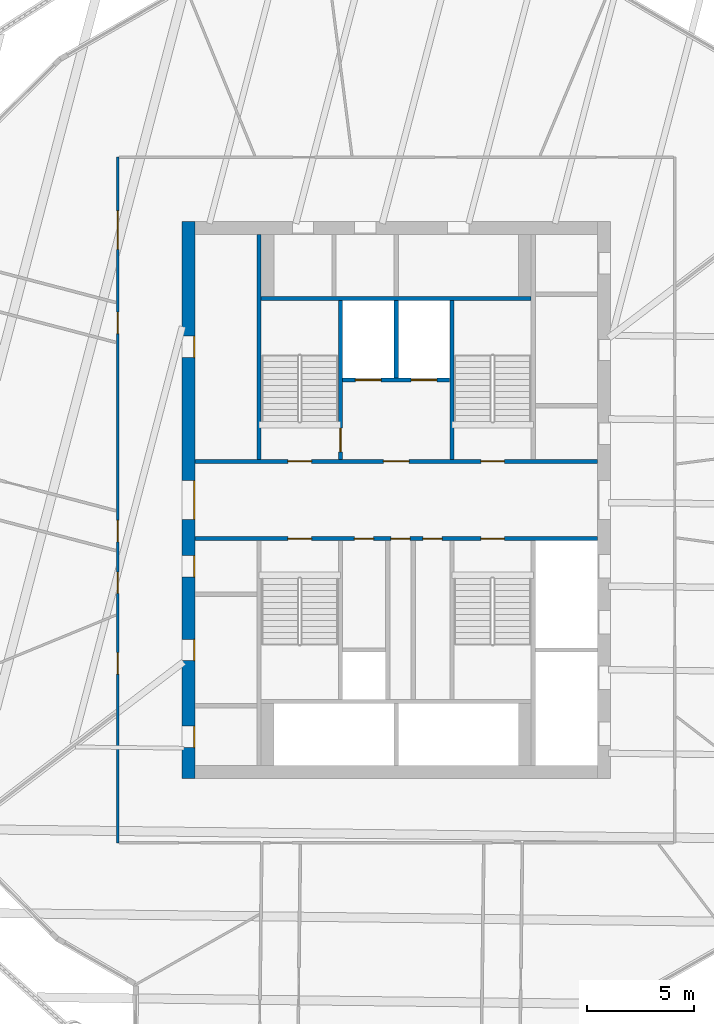
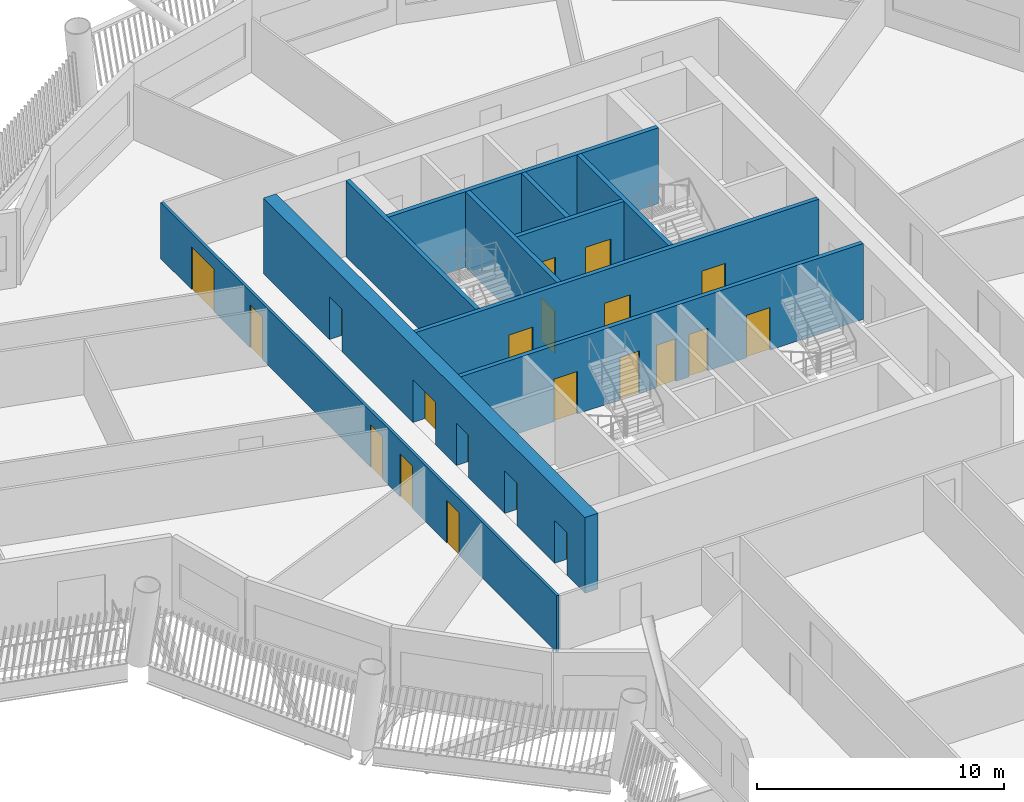
# One storey, part 5 of 21: 21 doors, 10 walls, 21 openings.
"""IFC4 building model written with IfcOpenShell, lengths in metres."""

from ifc_helpers import new_model, si_unit, direction, frame, frame_2d, origin, place, context, subcontext, project, spatial, rectangle, extrude, material, layer, layer_set, type_object, element, fill, save


model = new_model("IFC4")

# Units and contexts
model_context = context("Model", 3, precision=1e-05, world=origin(), true_north=direction((0.0, 1.0)))
body_context = subcontext(model_context, "Body", "Model", "MODEL_VIEW")
ifc_project = project(units=[si_unit("LENGTHUNIT", "METRE"), si_unit("AREAUNIT", "SQUARE_METRE"), si_unit("VOLUMEUNIT", "CUBIC_METRE"), si_unit("PLANEANGLEUNIT", "RADIAN"), si_unit("MASSUNIT", "GRAM", prefix="KILO")], contexts=[model_context])

# Site, building, storey
site_placement = place(None, origin())
site = spatial("IfcSite", under=ifc_project, at=site_placement, CompositionType="ELEMENT")
building_placement = place(site_placement, origin())
building = spatial("IfcBuilding", under=site, at=building_placement, Name="Tarsis Ring Headquarters", CompositionType="ELEMENT")
storey_placement = place(building_placement, frame((0.0, 0.0, 223.800048828125)))
storey = spatial("IfcBuildingStorey", under=building, at=storey_placement, Name="L52", CompositionType="ELEMENT", Elevation=223.800048828125)

# Wall, openings, doors
ifc_material_1 = material(Name="Concrete C50/60", Category="concrete")
ifc_layer_1 = layer(ifc_material_1, 0.60009765625)
ifc_layer_set_1 = layer_set([ifc_layer_1], Name="Core wall 600 C50/60")
wall_type_1 = type_object("IfcWallType", Name="Core wall 600 C50/60", PredefinedType="SHEAR", material=ifc_layer_set_1)
wall_1_placement = place(storey_placement, frame((-9.699951171875, -13.0, 0.0), z_axis=(0.0, 0.0, 1.0), x_axis=(0.0, 1.0, 0.0)))
wall_1 = element("IfcWall", 1, at=wall_1_placement, inside=storey, type_object=wall_type_1, Name="Core wall OW", PredefinedType="SHEAR", context=body_context, shape_type="SweptSolid", body=[
    extrude(rectangle(XDim=26.0, YDim=0.60009765625, at=frame_2d((13.0, 0.0))), origin(), (0.0, 0.0, 1.0), 3.739990234375),
])
opening_1_placement = place(wall_1_placement, frame((1.449951171875, 0.0, 0.0)))
opening_1 = element("IfcOpeningElement", 2, at=opening_1_placement, cuts=wall_1, Name="Opening L52-C01", PredefinedType="OPENING", context=body_context, shape_type="SweptSolid", body=[
    extrude(rectangle(XDim=1.0, YDim=2.10009765625, at=frame_2d((0.5, 1.050048828125))), frame((0.0, 0.31005859375, 0.0), z_axis=(0.0, -1.0, 0.0), x_axis=(1.0, 0.0, 0.0)), (0.0, 0.0, 1.0), 0.6201171875),
])
opening_2_placement = place(wall_1_placement, frame((5.5, 0.0, 0.0)))
opening_2 = element("IfcOpeningElement", 3, at=opening_2_placement, cuts=wall_1, Name="Opening L52-C02", PredefinedType="OPENING", context=body_context, shape_type="SweptSolid", body=[
    extrude(rectangle(XDim=1.0, YDim=2.10009765625, at=frame_2d((0.5, 1.050048828125))), frame((0.0, 0.31005859375, 0.0), z_axis=(0.0, -1.0, 0.0), x_axis=(1.0, 0.0, 0.0)), (0.0, 0.0, 1.0), 0.6201171875),
])
opening_3_placement = place(wall_1_placement, frame((9.39990234375, 0.0, 0.0)))
opening_3 = element("IfcOpeningElement", 4, at=opening_3_placement, cuts=wall_1, Name="Opening L52-C03", PredefinedType="OPENING", context=body_context, shape_type="SweptSolid", body=[
    extrude(rectangle(XDim=1.0, YDim=2.10009765625, at=frame_2d((0.5, 1.050048828125))), frame((0.0, 0.31005859375, 0.0), z_axis=(0.0, -1.0, 0.0), x_axis=(1.0, 0.0, 0.0)), (0.0, 0.0, 1.0), 0.6201171875),
])
opening_4_placement = place(wall_1_placement, frame((12.10009765625, 0.0, 0.0)))
opening_4 = element("IfcOpeningElement", 5, at=opening_4_placement, cuts=wall_1, Name="Opening L52-C04", PredefinedType="OPENING", context=body_context, shape_type="SweptSolid", body=[
    extrude(rectangle(XDim=1.800048828125, YDim=2.10009765625, at=frame_2d((0.89990234375, 1.050048828125))), frame((0.0, 0.31005859375, 0.0), z_axis=(0.0, -1.0, 0.0), x_axis=(1.0, 0.0, 0.0)), (0.0, 0.0, 1.0), 0.6201171875),
])
opening_5_placement = place(wall_1_placement, frame((19.64990234375, 0.0, 0.0)))
opening_5 = element("IfcOpeningElement", 6, at=opening_5_placement, cuts=wall_1, Name="Opening L52-C05", PredefinedType="OPENING", context=body_context, shape_type="SweptSolid", body=[
    extrude(rectangle(XDim=1.0, YDim=2.10009765625, at=frame_2d((0.5, 1.050048828125))), frame((0.0, 0.31005859375, 0.0), z_axis=(0.0, -1.0, 0.0), x_axis=(1.0, 0.0, 0.0)), (0.0, 0.0, 1.0), 0.6201171875),
])
ifc_material_2 = material(Name="Steel S355", Category="steel")
door_type_1 = type_object("IfcDoorType", Name="Core entry door 1800x2100", OperationType="DOUBLE_DOOR_SINGLE_SWING", PredefinedType="DOOR", material=ifc_material_2)
door_1_placement = place(opening_4_placement, origin())
door_1 = element("IfcDoor", 7, at=door_1_placement, inside=storey, type_object=door_type_1, Name="Core entry door L52", OperationType="DOUBLE_DOOR_SINGLE_SWING", OverallHeight=2.10009765625, OverallWidth=1.800048828125, PredefinedType="DOOR", context=body_context, shape_type="SweptSolid", body=[
    extrude(rectangle(XDim=1.800048828125, YDim=2.10009765625, at=frame_2d((0.89990234375, 1.050048828125))), frame((0.0, -0.25, 0.0), z_axis=(0.0, -1.0, 0.0), x_axis=(1.0, 0.0, 0.0)), (0.0, 0.0, 1.0), 0.050048828125),
])
fill(opening_4, door_1)
door_type_2 = type_object("IfcDoorType", Name="Core room door 1000x2100", OperationType="SINGLE_SWING_LEFT", PredefinedType="DOOR", material=ifc_material_2)
door_2_placement = place(opening_1_placement, origin())
door_2 = element("IfcDoor", 8, at=door_2_placement, inside=storey, type_object=door_type_2, Name="Core room door L52", OperationType="SINGLE_SWING_LEFT", OverallHeight=2.10009765625, OverallWidth=1.0, PredefinedType="DOOR", context=body_context, shape_type="SweptSolid", body=[
    extrude(rectangle(XDim=1.0, YDim=2.10009765625, at=frame_2d((0.5, 1.050048828125))), frame((0.0, -0.25, 0.0), z_axis=(0.0, -1.0, 0.0), x_axis=(1.0, 0.0, 0.0)), (0.0, 0.0, 1.0), 0.050048828125),
])
fill(opening_1, door_2)
door_3_placement = place(opening_2_placement, origin())
door_3 = element("IfcDoor", 9, at=door_3_placement, inside=storey, type_object=door_type_2, Name="Core room door L52", OperationType="SINGLE_SWING_LEFT", OverallHeight=2.10009765625, OverallWidth=1.0, PredefinedType="DOOR", context=body_context, shape_type="SweptSolid", body=[
    extrude(rectangle(XDim=1.0, YDim=2.10009765625, at=frame_2d((0.5, 1.050048828125))), frame((0.0, -0.25, 0.0), z_axis=(0.0, -1.0, 0.0), x_axis=(1.0, 0.0, 0.0)), (0.0, 0.0, 1.0), 0.050048828125),
])
fill(opening_2, door_3)
door_4_placement = place(opening_3_placement, origin())
door_4 = element("IfcDoor", 10, at=door_4_placement, inside=storey, type_object=door_type_2, Name="Core room door L52", OperationType="SINGLE_SWING_LEFT", OverallHeight=2.10009765625, OverallWidth=1.0, PredefinedType="DOOR", context=body_context, shape_type="SweptSolid", body=[
    extrude(rectangle(XDim=1.0, YDim=2.10009765625, at=frame_2d((0.5, 1.050048828125))), frame((0.0, -0.25, 0.0), z_axis=(0.0, -1.0, 0.0), x_axis=(1.0, 0.0, 0.0)), (0.0, 0.0, 1.0), 0.050048828125),
])
fill(opening_3, door_4)
door_5_placement = place(opening_5_placement, origin())
door_5 = element("IfcDoor", 11, at=door_5_placement, inside=storey, type_object=door_type_2, Name="Core room door L52", OperationType="SINGLE_SWING_LEFT", OverallHeight=2.10009765625, OverallWidth=1.0, PredefinedType="DOOR", context=body_context, shape_type="SweptSolid", body=[
    extrude(rectangle(XDim=1.0, YDim=2.10009765625, at=frame_2d((0.5, 1.050048828125))), frame((0.0, -0.25, 0.0), z_axis=(0.0, -1.0, 0.0), x_axis=(1.0, 0.0, 0.0)), (0.0, 0.0, 1.0), 0.050048828125),
])
fill(opening_5, door_5)

ifc_material_3 = material(Name="Gypsum board on steel studs", Category="steel")
ifc_layer_2 = layer(ifc_material_3, 0.125)
ifc_layer_set_2 = layer_set([ifc_layer_2], Name="FL partition 125 EI 60 H2770")
wall_type_2 = type_object("IfcWallType", Name="FL partition 125 EI 60 H2770", PredefinedType="PARTITIONING", material=ifc_layer_set_2)
wall_2_placement = place(storey_placement, frame((-13.0, -16.0, 0.0), z_axis=(0.0, 0.0, 1.0), x_axis=(0.0, 1.0, 0.0)))
wall_2 = element("IfcWall", 12, at=wall_2_placement, inside=storey, type_object=wall_type_2, Name="Partition PW1", PredefinedType="PARTITIONING", context=body_context, shape_type="SweptSolid", body=[
    extrude(rectangle(XDim=32.0, YDim=0.125, at=frame_2d((16.0, 0.0))), origin(), (0.0, 0.0, 1.0), 2.77001953125),
])
opening_6_placement = place(wall_2_placement, frame((27.697265625, 0.0, 0.0)))
opening_6 = element("IfcOpeningElement", 13, at=opening_6_placement, cuts=wall_2, Name="Opening D52.03", PredefinedType="OPENING", context=body_context, shape_type="SweptSolid", body=[
    extrude(rectangle(XDim=1.800048828125, YDim=2.10009765625, at=frame_2d((0.89990234375, 1.050048828125))), frame((0.0, 0.072509765625, 0.0), z_axis=(0.0, -1.0, 0.0), x_axis=(1.0, 0.0, 0.0)), (0.0, 0.0, 1.0), 0.14501953125),
])
opening_7_placement = place(wall_2_placement, frame((7.876220703125, 0.0, 0.0)))
opening_7 = element("IfcOpeningElement", 14, at=opening_7_placement, cuts=wall_2, Name="Opening D52.17", PredefinedType="OPENING", context=body_context, shape_type="SweptSolid", body=[
    extrude(rectangle(XDim=1.0, YDim=2.10009765625, at=frame_2d((0.5, 1.050048828125))), frame((0.0, 0.072509765625, 0.0), z_axis=(0.0, -1.0, 0.0), x_axis=(1.0, 0.0, 0.0)), (0.0, 0.0, 1.0), 0.14501953125),
])
opening_8_placement = place(wall_2_placement, frame((11.639892578125, 0.0, 0.0)))
opening_8 = element("IfcOpeningElement", 15, at=opening_8_placement, cuts=wall_2, Name="Opening D52.18", PredefinedType="OPENING", context=body_context, shape_type="SweptSolid", body=[
    extrude(rectangle(XDim=1.0, YDim=2.10009765625, at=frame_2d((0.5, 1.050048828125))), frame((0.0, 0.072509765625, 0.0), z_axis=(0.0, -1.0, 0.0), x_axis=(1.0, 0.0, 0.0)), (0.0, 0.0, 1.0), 0.14501953125),
])
opening_9_placement = place(wall_2_placement, frame((14.047119140625, 0.0, 0.0)))
opening_9 = element("IfcOpeningElement", 16, at=opening_9_placement, cuts=wall_2, Name="Opening D52.25", PredefinedType="OPENING", context=body_context, shape_type="SweptSolid", body=[
    extrude(rectangle(XDim=1.0, YDim=2.10009765625, at=frame_2d((0.5, 1.050048828125))), frame((0.0, 0.072509765625, 0.0), z_axis=(0.0, -1.0, 0.0), x_axis=(1.0, 0.0, 0.0)), (0.0, 0.0, 1.0), 0.14501953125),
])
opening_10_placement = place(wall_2_placement, frame((23.76416015625, 0.0, 0.0)))
opening_10 = element("IfcOpeningElement", 17, at=opening_10_placement, cuts=wall_2, Name="Opening D52.26", PredefinedType="OPENING", context=body_context, shape_type="SweptSolid", body=[
    extrude(rectangle(XDim=1.0, YDim=2.10009765625, at=frame_2d((0.5, 1.050048828125))), frame((0.0, 0.072509765625, 0.0), z_axis=(0.0, -1.0, 0.0), x_axis=(1.0, 0.0, 0.0)), (0.0, 0.0, 1.0), 0.14501953125),
])
ifc_material_4 = material(Name="Fire-rated timber door leaf in steel frame", Category="steel")
door_type_3 = type_object("IfcDoorType", Name="FL door FD60-1000", OperationType="NOTDEFINED", PredefinedType="DOOR", material=ifc_material_4)
door_6_placement = place(opening_7_placement, origin())
door_6 = element("IfcDoor", 18, at=door_6_placement, inside=storey, type_object=door_type_3, Name="Door D52.17", OperationType="SINGLE_SWING_LEFT", OverallHeight=2.10009765625, OverallWidth=1.0, PredefinedType="DOOR", context=body_context, shape_type="SweptSolid", body=[
    extrude(rectangle(XDim=1.0, YDim=2.10009765625, at=frame_2d((0.5, 1.050048828125))), frame((0.0, 0.02490234375, 0.0), z_axis=(0.0, -1.0, 0.0), x_axis=(1.0, 0.0, 0.0)), (0.0, 0.0, 1.0), 0.050048828125),
])
fill(opening_7, door_6)
door_7_placement = place(opening_8_placement, origin())
door_7 = element("IfcDoor", 19, at=door_7_placement, inside=storey, type_object=door_type_3, Name="Door D52.18", OperationType="SINGLE_SWING_RIGHT", OverallHeight=2.10009765625, OverallWidth=1.0, PredefinedType="DOOR", context=body_context, shape_type="SweptSolid", body=[
    extrude(rectangle(XDim=1.0, YDim=2.10009765625, at=frame_2d((0.5, 1.050048828125))), frame((0.0, 0.02490234375, 0.0), z_axis=(0.0, -1.0, 0.0), x_axis=(1.0, 0.0, 0.0)), (0.0, 0.0, 1.0), 0.050048828125),
])
fill(opening_8, door_7)
door_8_placement = place(opening_9_placement, origin())
door_8 = element("IfcDoor", 20, at=door_8_placement, inside=storey, type_object=door_type_3, Name="Door D52.25", OperationType="SINGLE_SWING_LEFT", OverallHeight=2.10009765625, OverallWidth=1.0, PredefinedType="DOOR", context=body_context, shape_type="SweptSolid", body=[
    extrude(rectangle(XDim=1.0, YDim=2.10009765625, at=frame_2d((0.5, 1.050048828125))), frame((0.0, 0.02490234375, 0.0), z_axis=(0.0, -1.0, 0.0), x_axis=(1.0, 0.0, 0.0)), (0.0, 0.0, 1.0), 0.050048828125),
])
fill(opening_9, door_8)
door_9_placement = place(opening_10_placement, origin())
door_9 = element("IfcDoor", 21, at=door_9_placement, inside=storey, type_object=door_type_3, Name="Door D52.26", OperationType="SINGLE_SWING_RIGHT", OverallHeight=2.10009765625, OverallWidth=1.0, PredefinedType="DOOR", context=body_context, shape_type="SweptSolid", body=[
    extrude(rectangle(XDim=1.0, YDim=2.10009765625, at=frame_2d((0.5, 1.050048828125))), frame((0.0, 0.02490234375, 0.0), z_axis=(0.0, -1.0, 0.0), x_axis=(1.0, 0.0, 0.0)), (0.0, 0.0, 1.0), 0.050048828125),
])
fill(opening_10, door_9)
door_type_4 = type_object("IfcDoorType", Name="FL door FD60-1800", OperationType="DOUBLE_DOOR_SINGLE_SWING", PredefinedType="DOOR", material=ifc_material_4)
door_10_placement = place(opening_6_placement, origin())
door_10 = element("IfcDoor", 22, at=door_10_placement, inside=storey, type_object=door_type_4, Name="Door D52.03", OperationType="DOUBLE_DOOR_SINGLE_SWING", OverallHeight=2.10009765625, OverallWidth=1.800048828125, PredefinedType="DOOR", context=body_context, shape_type="SweptSolid", body=[
    extrude(rectangle(XDim=1.800048828125, YDim=2.10009765625, at=frame_2d((0.89990234375, 1.050048828125))), frame((0.0, 0.02490234375, 0.0), z_axis=(0.0, -1.0, 0.0), x_axis=(1.0, 0.0, 0.0)), (0.0, 0.0, 1.0), 0.050048828125),
])
fill(opening_6, door_10)

ifc_material_5 = material(Name="Concrete C32/40", Category="concrete")
ifc_layer_3 = layer(ifc_material_5, 0.199951171875)
ifc_layer_set_3 = layer_set([ifc_layer_3], Name="Shaft wall 200 C32/40")
wall_type_3 = type_object("IfcWallType", Name="Shaft wall 200 C32/40", PredefinedType="SOLIDWALL", material=ifc_layer_set_3)
wall_3_placement = place(storey_placement, frame((-9.39990234375, 1.800048828125, 0.0), z_axis=(0.0, 0.0, 1.0), x_axis=(1.0, 0.0, 0.0)))
wall_3 = element("IfcWall", 23, at=wall_3_placement, inside=storey, type_object=wall_type_3, Name="Core shaft wall CN", PredefinedType="SOLIDWALL", context=body_context, shape_type="SweptSolid", body=[
    extrude(rectangle(XDim=18.7998046875, YDim=0.199951171875, at=frame_2d((9.39990234375, 0.0))), origin(), (0.0, 0.0, 1.0), 3.739990234375),
])
opening_11_placement = place(wall_3_placement, frame((4.35009765625, 0.0, 0.0)))
opening_11 = element("IfcOpeningElement", 24, at=opening_11_placement, cuts=wall_3, Name="Opening L52-C17", PredefinedType="OPENING", context=body_context, shape_type="SweptSolid", body=[
    extrude(rectangle(XDim=1.10009765625, YDim=2.10009765625, at=frame_2d((0.550048828125, 1.050048828125))), frame((0.0, 0.10986328125, 0.0), z_axis=(0.0, -1.0, 0.0), x_axis=(1.0, 0.0, 0.0)), (0.0, 0.0, 1.0), 0.219970703125),
])
opening_12_placement = place(wall_3_placement, frame((8.800048828125, 0.0, 0.0)))
opening_12 = element("IfcOpeningElement", 25, at=opening_12_placement, cuts=wall_3, Name="Opening L52-C18", PredefinedType="OPENING", context=body_context, shape_type="SweptSolid", body=[
    extrude(rectangle(XDim=1.199951171875, YDim=2.10009765625, at=frame_2d((0.60009765625, 1.050048828125))), frame((0.0, 0.10986328125, 0.0), z_axis=(0.0, -1.0, 0.0), x_axis=(1.0, 0.0, 0.0)), (0.0, 0.0, 1.0), 0.219970703125),
])
opening_13_placement = place(wall_3_placement, frame((13.35009765625, 0.0, 0.0)))
opening_13 = element("IfcOpeningElement", 26, at=opening_13_placement, cuts=wall_3, Name="Opening L52-C19", PredefinedType="OPENING", context=body_context, shape_type="SweptSolid", body=[
    extrude(rectangle(XDim=1.10009765625, YDim=2.10009765625, at=frame_2d((0.550048828125, 1.050048828125))), frame((0.0, 0.10986328125, 0.0), z_axis=(0.0, -1.0, 0.0), x_axis=(1.0, 0.0, 0.0)), (0.0, 0.0, 1.0), 0.219970703125),
])
door_type_5 = type_object("IfcDoorType", Name="Firefighting lobby door 1200x2100", OperationType="DOUBLE_DOOR_SINGLE_SWING", PredefinedType="DOOR", material=ifc_material_2)
door_11_placement = place(opening_12_placement, origin())
door_11 = element("IfcDoor", 27, at=door_11_placement, inside=storey, type_object=door_type_5, Name="Firefighting lobby door L52", OperationType="DOUBLE_DOOR_SINGLE_SWING", OverallHeight=2.10009765625, OverallWidth=1.199951171875, PredefinedType="DOOR", context=body_context, shape_type="SweptSolid", body=[
    extrude(rectangle(XDim=1.199951171875, YDim=2.10009765625, at=frame_2d((0.60009765625, 1.050048828125))), frame((0.0, 0.02490234375, 0.0), z_axis=(0.0, -1.0, 0.0), x_axis=(1.0, 0.0, 0.0)), (0.0, 0.0, 1.0), 0.050048828125),
])
fill(opening_12, door_11)
door_type_6 = type_object("IfcDoorType", Name="Stair door 1100x2100", OperationType="SINGLE_SWING_LEFT", PredefinedType="DOOR", material=ifc_material_2)
door_12_placement = place(opening_11_placement, origin())
door_12 = element("IfcDoor", 28, at=door_12_placement, inside=storey, type_object=door_type_6, Name="Stair door L52", OperationType="SINGLE_SWING_LEFT", OverallHeight=2.10009765625, OverallWidth=1.10009765625, PredefinedType="DOOR", context=body_context, shape_type="SweptSolid", body=[
    extrude(rectangle(XDim=1.10009765625, YDim=2.10009765625, at=frame_2d((0.550048828125, 1.050048828125))), frame((0.0, 0.02490234375, 0.0), z_axis=(0.0, -1.0, 0.0), x_axis=(1.0, 0.0, 0.0)), (0.0, 0.0, 1.0), 0.050048828125),
])
fill(opening_11, door_12)
door_13_placement = place(opening_13_placement, origin())
door_13 = element("IfcDoor", 29, at=door_13_placement, inside=storey, type_object=door_type_6, Name="Stair door L52", OperationType="SINGLE_SWING_LEFT", OverallHeight=2.10009765625, OverallWidth=1.10009765625, PredefinedType="DOOR", context=body_context, shape_type="SweptSolid", body=[
    extrude(rectangle(XDim=1.10009765625, YDim=2.10009765625, at=frame_2d((0.550048828125, 1.050048828125))), frame((0.0, 0.02490234375, 0.0), z_axis=(0.0, -1.0, 0.0), x_axis=(1.0, 0.0, 0.0)), (0.0, 0.0, 1.0), 0.050048828125),
])
fill(opening_13, door_13)

wall_4_placement = place(storey_placement, frame((-9.39990234375, -1.800048828125, 0.0), z_axis=(0.0, 0.0, 1.0), x_axis=(1.0, 0.0, 0.0)))
wall_4 = element("IfcWall", 30, at=wall_4_placement, inside=storey, type_object=wall_type_3, Name="Core shaft wall CS", PredefinedType="SOLIDWALL", context=body_context, shape_type="SweptSolid", body=[
    extrude(rectangle(XDim=18.7998046875, YDim=0.199951171875, at=frame_2d((9.39990234375, 0.0))), origin(), (0.0, 0.0, 1.0), 3.739990234375),
])
opening_14_placement = place(wall_4_placement, frame((4.35009765625, 0.0, 0.0)))
opening_14 = element("IfcOpeningElement", 31, at=opening_14_placement, cuts=wall_4, Name="Opening L52-C20", PredefinedType="OPENING", context=body_context, shape_type="SweptSolid", body=[
    extrude(rectangle(XDim=1.10009765625, YDim=2.10009765625, at=frame_2d((0.550048828125, 1.050048828125))), frame((0.0, 0.10986328125, 0.0), z_axis=(0.0, -1.0, 0.0), x_axis=(1.0, 0.0, 0.0)), (0.0, 0.0, 1.0), 0.219970703125),
])
opening_15_placement = place(wall_4_placement, frame((7.449951171875, 0.0, 0.0)))
opening_15 = element("IfcOpeningElement", 32, at=opening_15_placement, cuts=wall_4, Name="Opening L52-C21", PredefinedType="OPENING", context=body_context, shape_type="SweptSolid", body=[
    extrude(rectangle(XDim=0.89990234375, YDim=2.10009765625, at=frame_2d((0.449951171875, 1.050048828125))), frame((0.0, 0.10986328125, 0.0), z_axis=(0.0, -1.0, 0.0), x_axis=(1.0, 0.0, 0.0)), (0.0, 0.0, 1.0), 0.219970703125),
])
opening_16_placement = place(wall_4_placement, frame((9.14990234375, 0.0, 0.0)))
opening_16 = element("IfcOpeningElement", 33, at=opening_16_placement, cuts=wall_4, Name="Opening L52-C22", PredefinedType="OPENING", context=body_context, shape_type="SweptSolid", body=[
    extrude(rectangle(XDim=0.89990234375, YDim=2.10009765625, at=frame_2d((0.449951171875, 1.050048828125))), frame((0.0, 0.10986328125, 0.0), z_axis=(0.0, -1.0, 0.0), x_axis=(1.0, 0.0, 0.0)), (0.0, 0.0, 1.0), 0.219970703125),
])
opening_17_placement = place(wall_4_placement, frame((10.64990234375, 0.0, 0.0)))
opening_17 = element("IfcOpeningElement", 34, at=opening_17_placement, cuts=wall_4, Name="Opening L52-C23", PredefinedType="OPENING", context=body_context, shape_type="SweptSolid", body=[
    extrude(rectangle(XDim=0.89990234375, YDim=2.10009765625, at=frame_2d((0.449951171875, 1.050048828125))), frame((0.0, 0.10986328125, 0.0), z_axis=(0.0, -1.0, 0.0), x_axis=(1.0, 0.0, 0.0)), (0.0, 0.0, 1.0), 0.219970703125),
])
opening_18_placement = place(wall_4_placement, frame((13.35009765625, 0.0, 0.0)))
opening_18 = element("IfcOpeningElement", 35, at=opening_18_placement, cuts=wall_4, Name="Opening L52-C24", PredefinedType="OPENING", context=body_context, shape_type="SweptSolid", body=[
    extrude(rectangle(XDim=1.10009765625, YDim=2.10009765625, at=frame_2d((0.550048828125, 1.050048828125))), frame((0.0, 0.10986328125, 0.0), z_axis=(0.0, -1.0, 0.0), x_axis=(1.0, 0.0, 0.0)), (0.0, 0.0, 1.0), 0.219970703125),
])
door_14_placement = place(opening_14_placement, origin())
door_14 = element("IfcDoor", 36, at=door_14_placement, inside=storey, type_object=door_type_6, Name="Stair door L52", OperationType="SINGLE_SWING_LEFT", OverallHeight=2.10009765625, OverallWidth=1.10009765625, PredefinedType="DOOR", context=body_context, shape_type="SweptSolid", body=[
    extrude(rectangle(XDim=1.10009765625, YDim=2.10009765625, at=frame_2d((0.550048828125, 1.050048828125))), frame((0.0, 0.02490234375, 0.0), z_axis=(0.0, -1.0, 0.0), x_axis=(1.0, 0.0, 0.0)), (0.0, 0.0, 1.0), 0.050048828125),
])
fill(opening_14, door_14)
door_15_placement = place(opening_18_placement, origin())
door_15 = element("IfcDoor", 37, at=door_15_placement, inside=storey, type_object=door_type_6, Name="Stair door L52", OperationType="SINGLE_SWING_LEFT", OverallHeight=2.10009765625, OverallWidth=1.10009765625, PredefinedType="DOOR", context=body_context, shape_type="SweptSolid", body=[
    extrude(rectangle(XDim=1.10009765625, YDim=2.10009765625, at=frame_2d((0.550048828125, 1.050048828125))), frame((0.0, 0.02490234375, 0.0), z_axis=(0.0, -1.0, 0.0), x_axis=(1.0, 0.0, 0.0)), (0.0, 0.0, 1.0), 0.050048828125),
])
fill(opening_18, door_15)
door_type_7 = type_object("IfcDoorType", Name="WC door 900x2100", OperationType="SINGLE_SWING_LEFT", PredefinedType="DOOR", material=ifc_material_2)
door_16_placement = place(opening_15_placement, origin())
door_16 = element("IfcDoor", 38, at=door_16_placement, inside=storey, type_object=door_type_7, Name="WC door L52", OperationType="SINGLE_SWING_LEFT", OverallHeight=2.10009765625, OverallWidth=0.89990234375, PredefinedType="DOOR", context=body_context, shape_type="SweptSolid", body=[
    extrude(rectangle(XDim=0.89990234375, YDim=2.10009765625, at=frame_2d((0.449951171875, 1.050048828125))), frame((0.0, 0.02490234375, 0.0), z_axis=(0.0, -1.0, 0.0), x_axis=(1.0, 0.0, 0.0)), (0.0, 0.0, 1.0), 0.050048828125),
])
fill(opening_15, door_16)
door_17_placement = place(opening_16_placement, origin())
door_17 = element("IfcDoor", 39, at=door_17_placement, inside=storey, type_object=door_type_7, Name="WC door L52", OperationType="SINGLE_SWING_LEFT", OverallHeight=2.10009765625, OverallWidth=0.89990234375, PredefinedType="DOOR", context=body_context, shape_type="SweptSolid", body=[
    extrude(rectangle(XDim=0.89990234375, YDim=2.10009765625, at=frame_2d((0.449951171875, 1.050048828125))), frame((0.0, 0.02490234375, 0.0), z_axis=(0.0, -1.0, 0.0), x_axis=(1.0, 0.0, 0.0)), (0.0, 0.0, 1.0), 0.050048828125),
])
fill(opening_16, door_17)
door_18_placement = place(opening_17_placement, origin())
door_18 = element("IfcDoor", 40, at=door_18_placement, inside=storey, type_object=door_type_7, Name="WC door L52", OperationType="SINGLE_SWING_LEFT", OverallHeight=2.10009765625, OverallWidth=0.89990234375, PredefinedType="DOOR", context=body_context, shape_type="SweptSolid", body=[
    extrude(rectangle(XDim=0.89990234375, YDim=2.10009765625, at=frame_2d((0.449951171875, 1.050048828125))), frame((0.0, 0.02490234375, 0.0), z_axis=(0.0, -1.0, 0.0), x_axis=(1.0, 0.0, 0.0)), (0.0, 0.0, 1.0), 0.050048828125),
])
fill(opening_17, door_18)

# Walls
wall_5_placement = place(storey_placement, frame((-6.39990234375, 1.89990234375, 0.0), z_axis=(0.0, 0.0, 1.0), x_axis=(0.0, 1.0, 0.0)))
element("IfcWall", 41, at=wall_5_placement, inside=storey, type_object=wall_type_3, Name="Core shaft wall WB2", PredefinedType="SOLIDWALL", context=body_context, shape_type="SweptSolid", body=[
    extrude(rectangle(XDim=10.5, YDim=0.199951171875, at=frame_2d((5.25, 0.0))), origin(), (0.0, 0.0, 1.0), 3.739990234375),
])
wall_6_placement = place(storey_placement, frame((-6.300048828125, 9.39990234375, 0.0), z_axis=(0.0, 0.0, 1.0), x_axis=(1.0, 0.0, 0.0)))
element("IfcWall", 42, at=wall_6_placement, inside=storey, type_object=wall_type_3, Name="Core shaft wall NB", PredefinedType="SOLIDWALL", context=body_context, shape_type="SweptSolid", body=[
    extrude(rectangle(XDim=12.60009765625, YDim=0.199951171875, at=frame_2d((6.300048828125, 0.0))), origin(), (0.0, 0.0, 1.0), 3.739990234375),
])

# Wall, opening, door
wall_7_placement = place(storey_placement, frame((-2.60009765625, 1.89990234375, 0.0), z_axis=(0.0, 0.0, 1.0), x_axis=(0.0, 1.0, 0.0)))
wall_7 = element("IfcWall", 43, at=wall_7_placement, inside=storey, type_object=wall_type_3, Name="Core shaft wall SW1", PredefinedType="SOLIDWALL", context=body_context, shape_type="SweptSolid", body=[
    extrude(rectangle(XDim=7.400146484375, YDim=0.199951171875, at=frame_2d((3.7001953125, 0.0))), origin(), (0.0, 0.0, 1.0), 3.739990234375),
])
opening_19_placement = place(wall_7_placement, frame((0.35009765625, 0.0, 0.0)))
opening_19 = element("IfcOpeningElement", 44, at=opening_19_placement, cuts=wall_7, Name="Opening L52-C25", PredefinedType="OPENING", context=body_context, shape_type="SweptSolid", body=[
    extrude(rectangle(XDim=1.10009765625, YDim=2.10009765625, at=frame_2d((0.550048828125, 1.050048828125))), frame((0.0, 0.10986328125, 0.0), z_axis=(0.0, -1.0, 0.0), x_axis=(1.0, 0.0, 0.0)), (0.0, 0.0, 1.0), 0.219970703125),
])
door_19_placement = place(opening_19_placement, origin())
door_19 = element("IfcDoor", 45, at=door_19_placement, inside=storey, type_object=door_type_6, Name="Stair door L52", OperationType="SINGLE_SWING_LEFT", OverallHeight=2.10009765625, OverallWidth=1.10009765625, PredefinedType="DOOR", context=body_context, shape_type="SweptSolid", body=[
    extrude(rectangle(XDim=1.10009765625, YDim=2.10009765625, at=frame_2d((0.550048828125, 1.050048828125))), frame((0.0, 0.02490234375, 0.0), z_axis=(0.0, -1.0, 0.0), x_axis=(1.0, 0.0, 0.0)), (0.0, 0.0, 1.0), 0.050048828125),
])
fill(opening_19, door_19)

# Wall
wall_8_placement = place(storey_placement, frame((2.60009765625, 1.89990234375, 0.0), z_axis=(0.0, 0.0, 1.0), x_axis=(0.0, 1.0, 0.0)))
element("IfcWall", 46, at=wall_8_placement, inside=storey, type_object=wall_type_3, Name="Core shaft wall SW2", PredefinedType="SOLIDWALL", context=body_context, shape_type="SweptSolid", body=[
    extrude(rectangle(XDim=7.400146484375, YDim=0.199951171875, at=frame_2d((3.7001953125, 0.0))), origin(), (0.0, 0.0, 1.0), 3.739990234375),
])

# Wall, openings, doors
wall_9_placement = place(storey_placement, frame((-2.5, 5.60009765625, 0.0), z_axis=(0.0, 0.0, 1.0), x_axis=(1.0, 0.0, 0.0)))
wall_9 = element("IfcWall", 47, at=wall_9_placement, inside=storey, type_object=wall_type_3, Name="Core shaft wall FFN", PredefinedType="SOLIDWALL", context=body_context, shape_type="SweptSolid", body=[
    extrude(rectangle(XDim=5.0, YDim=0.199951171875, at=frame_2d((2.5, 0.0))), origin(), (0.0, 0.0, 1.0), 3.739990234375),
])
opening_20_placement = place(wall_9_placement, frame((0.60009765625, 0.0, 0.0)))
opening_20 = element("IfcOpeningElement", 48, at=opening_20_placement, cuts=wall_9, Name="Opening LDF-1", PredefinedType="OPENING", context=body_context, shape_type="SweptSolid", body=[
    extrude(rectangle(XDim=1.199951171875, YDim=2.10009765625, at=frame_2d((0.60009765625, 1.050048828125))), frame((0.0, 0.10986328125, 0.0), z_axis=(0.0, -1.0, 0.0), x_axis=(1.0, 0.0, 0.0)), (0.0, 0.0, 1.0), 0.219970703125),
])
opening_21_placement = place(wall_9_placement, frame((3.199951171875, 0.0, 0.0)))
opening_21 = element("IfcOpeningElement", 49, at=opening_21_placement, cuts=wall_9, Name="Opening LDF-2", PredefinedType="OPENING", context=body_context, shape_type="SweptSolid", body=[
    extrude(rectangle(XDim=1.199951171875, YDim=2.10009765625, at=frame_2d((0.60009765625, 1.050048828125))), frame((0.0, 0.10986328125, 0.0), z_axis=(0.0, -1.0, 0.0), x_axis=(1.0, 0.0, 0.0)), (0.0, 0.0, 1.0), 0.219970703125),
])
door_type_8 = type_object("IfcDoorType", Name="Firefighting landing door 1200x2100", OperationType="SLIDING_TO_LEFT", PredefinedType="DOOR", material=ifc_material_2)
door_20_placement = place(opening_20_placement, origin())
door_20 = element("IfcDoor", 50, at=door_20_placement, inside=storey, type_object=door_type_8, Name="Landing door FF1 L52", OperationType="SLIDING_TO_LEFT", OverallHeight=2.10009765625, OverallWidth=1.199951171875, PredefinedType="DOOR", context=body_context, shape_type="SweptSolid", body=[
    extrude(rectangle(XDim=1.199951171875, YDim=2.10009765625, at=frame_2d((0.60009765625, 1.050048828125))), frame((0.0, 0.02490234375, 0.0), z_axis=(0.0, -1.0, 0.0), x_axis=(1.0, 0.0, 0.0)), (0.0, 0.0, 1.0), 0.050048828125),
])
fill(opening_20, door_20)
door_21_placement = place(opening_21_placement, origin())
door_21 = element("IfcDoor", 51, at=door_21_placement, inside=storey, type_object=door_type_8, Name="Landing door FF2 L52", OperationType="SLIDING_TO_LEFT", OverallHeight=2.10009765625, OverallWidth=1.199951171875, PredefinedType="DOOR", context=body_context, shape_type="SweptSolid", body=[
    extrude(rectangle(XDim=1.199951171875, YDim=2.10009765625, at=frame_2d((0.60009765625, 1.050048828125))), frame((0.0, 0.02490234375, 0.0), z_axis=(0.0, -1.0, 0.0), x_axis=(1.0, 0.0, 0.0)), (0.0, 0.0, 1.0), 0.050048828125),
])
fill(opening_21, door_21)

# Wall
wall_10_placement = place(storey_placement, frame((0.0, 5.699951171875, 0.0), z_axis=(0.0, 0.0, 1.0), x_axis=(0.0, 1.0, 0.0)))
element("IfcWall", 52, at=wall_10_placement, inside=storey, type_object=wall_type_3, Name="Core shaft wall FFD", PredefinedType="SOLIDWALL", context=body_context, shape_type="SweptSolid", body=[
    extrude(rectangle(XDim=3.60009765625, YDim=0.199951171875, at=frame_2d((1.800048828125, 0.0))), origin(), (0.0, 0.0, 1.0), 3.739990234375),
])

save(model, "model.ifc")
